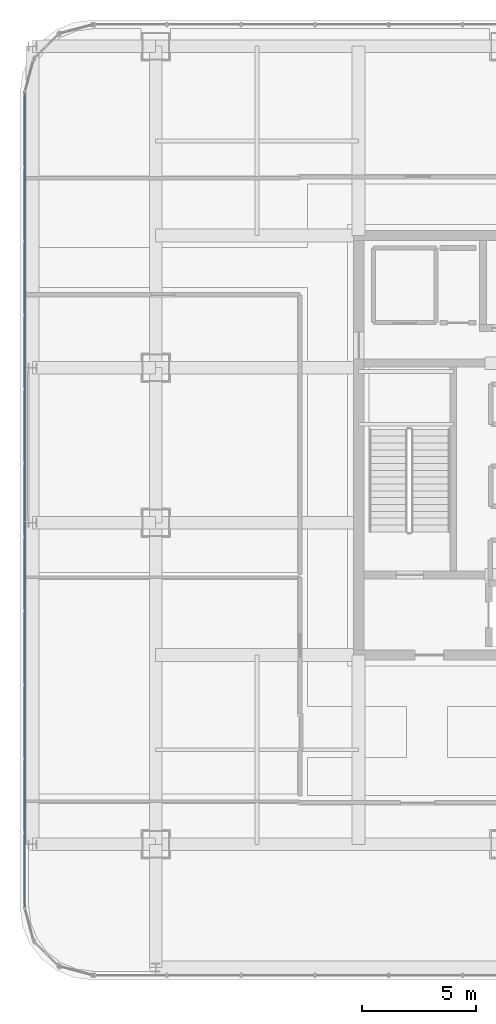
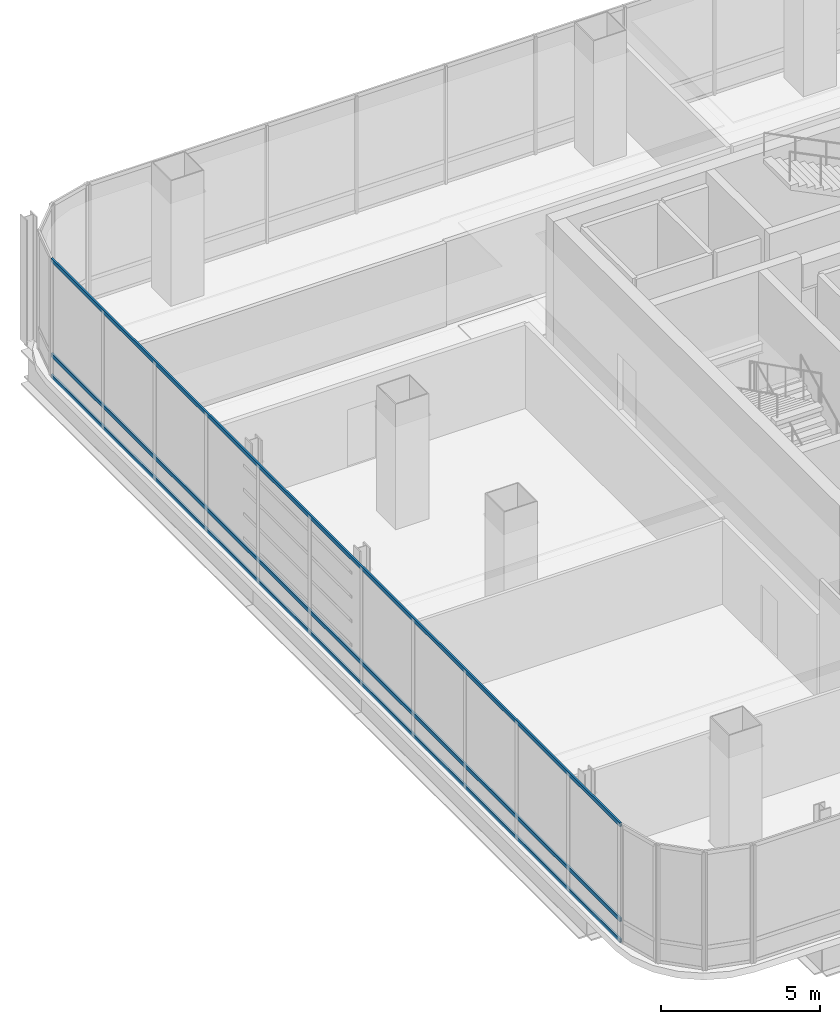
# One storey, part 11 of 45: 3 members, 1 element without a shape of its own.
"""IFC4 building model written with IfcOpenShell, lengths in metres."""

from ifc_helpers import new_model, si_unit, direction, frame, origin, origin_2d, place, context, subcontext, project, spatial, hollow_rectangle, extrude, material, material_profile, profile_set, type_object, element, aggregate, save


model = new_model("IFC4")

# Units and contexts
model_context = context("Model", 3, precision=1e-05, world=origin(), true_north=direction((0.0, 1.0)))
body_context = subcontext(model_context, "Body", "Model", "MODEL_VIEW")
ifc_project = project(units=[si_unit("LENGTHUNIT", "METRE"), si_unit("AREAUNIT", "SQUARE_METRE"), si_unit("VOLUMEUNIT", "CUBIC_METRE"), si_unit("PLANEANGLEUNIT", "RADIAN"), si_unit("MASSUNIT", "GRAM", prefix="KILO")], contexts=[model_context])

# Site, building, storey
site_placement = place(None, origin())
site = spatial("IfcSite", under=ifc_project, at=site_placement, CompositionType="ELEMENT")
building_placement = place(site_placement, origin())
building = spatial("IfcBuilding", under=site, at=building_placement, Name="Punatoya Terracotta Tower", CompositionType="ELEMENT")
storey_placement = place(building_placement, frame((0.0, 0.0, 339.0)))
storey = spatial("IfcBuildingStorey", under=building, at=storey_placement, Name="L80", CompositionType="ELEMENT", Elevation=339.0)

# Curtain wall, members
ifc_material_1 = material(Name="Aluminium 6063-T6 + Double Low-E Glass", Category="aluminium")
curtain_wall_type = type_object("IfcCurtainWallType", Name="CW-OBS", PredefinedType="NOTDEFINED", material=ifc_material_1)
curtain_wall_placement = place(storey_placement, origin())
curtain_wall = element("IfcCurtainWall", 1, at=curtain_wall_placement, inside=storey, type_object=curtain_wall_type, Name="L80 Curtain Wall CW-L80-W13-1", PredefinedType="NOTDEFINED")
ifc_material_2 = material(Name="Aluminium 6063-T6", Category="aluminium")
ifc_material_profile = material_profile(ifc_material_2, hollow_rectangle(XDim=0.068115234375, YDim=0.14990234375, WallThickness=0.00390625, at=origin_2d()))
ifc_profile_set = profile_set([ifc_material_profile], Name="Aluminium 6063-T6")
member_type = type_object("IfcMemberType", Name="CW-TRN-TYP", PredefinedType="USERDEFINED", material=ifc_profile_set)
member_1_placement = place(storey_placement, frame((-24.85009765625, 15.43701171875, 0.0400390625), z_axis=(0.0, -1.0, 0.0), x_axis=(1.0, 0.0, 0.0)))
member_1 = element("IfcMember", 2, at=member_1_placement, type_object=member_type, Name="CW-L80-W13-1 Transom 1", ObjectType="TRANSOM", PredefinedType="USERDEFINED", context=body_context, shape_type="SweptSolid", body=[
    extrude(hollow_rectangle(XDim=0.068115234375, YDim=0.14990234375, WallThickness=0.00390625, at=origin_2d()), origin(), (0.0, 0.0, 1.0), 35.673828125),
])
member_2_placement = place(storey_placement, frame((-24.85009765625, 15.43701171875, 0.85009765625), z_axis=(0.0, -1.0, 0.0), x_axis=(1.0, 0.0, 0.0)))
member_2 = element("IfcMember", 3, at=member_2_placement, type_object=member_type, Name="CW-L80-W13-1 Transom 2", ObjectType="TRANSOM", PredefinedType="USERDEFINED", context=body_context, shape_type="SweptSolid", body=[
    extrude(hollow_rectangle(XDim=0.068115234375, YDim=0.14990234375, WallThickness=0.00390625, at=origin_2d()), origin(), (0.0, 0.0, 1.0), 35.673828125),
])
member_3_placement = place(storey_placement, frame((-24.85009765625, 15.43701171875, 4.47998046875), z_axis=(0.0, -1.0, 0.0), x_axis=(1.0, 0.0, 0.0)))
member_3 = element("IfcMember", 4, at=member_3_placement, type_object=member_type, Name="CW-L80-W13-1 Transom 3", ObjectType="TRANSOM", PredefinedType="USERDEFINED", context=body_context, shape_type="SweptSolid", body=[
    extrude(hollow_rectangle(XDim=0.068115234375, YDim=0.14990234375, WallThickness=0.00390625, at=origin_2d()), origin(), (0.0, 0.0, 1.0), 35.673828125),
])
aggregate(curtain_wall, [member_1, member_2, member_3])

save(model, "model.ifc")
